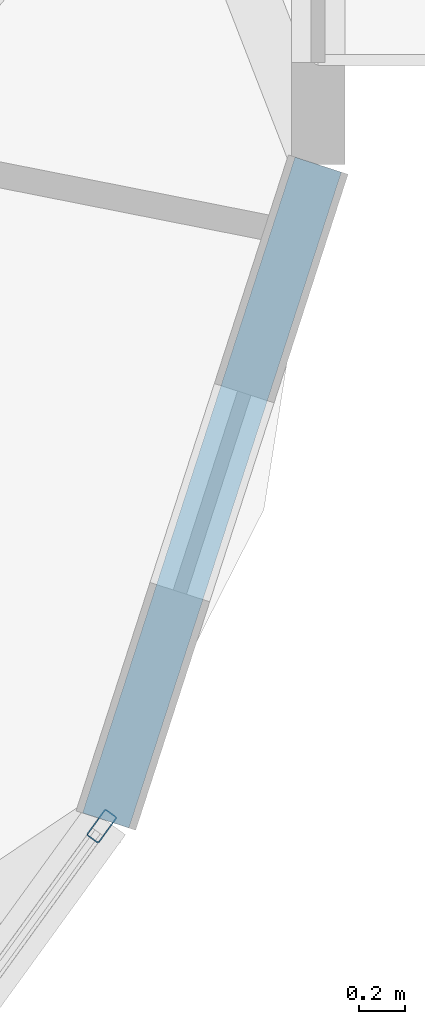
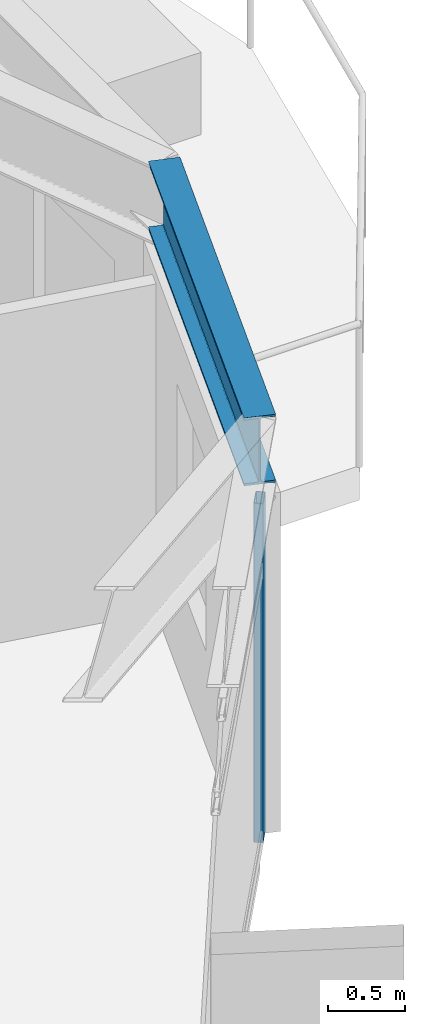
# One storey, part 15 of 31: 1 beam, 1 member, 1 element without a shape of its own.
"""IFC4 building model written with IfcOpenShell, lengths in metres."""

from ifc_helpers import new_model, si_unit, direction, frame, origin, origin_2d, place, context, subcontext, project, spatial, hollow_rectangle, i_section, extrude, material, layer, layer_set, material_profile, profile_set, type_object, element, aggregate, save


model = new_model("IFC4")

# Units and contexts
model_context = context("Model", 3, precision=1e-05, world=origin(), true_north=direction((0.0, 1.0)))
body_context = subcontext(model_context, "Body", "Model", "MODEL_VIEW")
ifc_project = project(units=[si_unit("LENGTHUNIT", "METRE"), si_unit("AREAUNIT", "SQUARE_METRE"), si_unit("VOLUMEUNIT", "CUBIC_METRE"), si_unit("PLANEANGLEUNIT", "RADIAN"), si_unit("MASSUNIT", "GRAM", prefix="KILO")], contexts=[model_context])

# Site, building, storey
site_placement = place(None, origin())
site = spatial("IfcSite", under=ifc_project, at=site_placement, CompositionType="ELEMENT")
building_placement = place(site_placement, origin())
building = spatial("IfcBuilding", under=site, at=building_placement, Name="Soratama Intermodal Tower", CompositionType="ELEMENT")
storey_placement = place(building_placement, frame((0.0, 0.0, 230.199951171875)))
storey = spatial("IfcBuildingStorey", under=building, at=storey_placement, Name="L58", CompositionType="ELEMENT", Elevation=230.199951171875)

# Beam
ifc_material_1 = material(Name="Structural steel ASTM A992 Grade 50", Category="steel")
ifc_material_profile_1 = material_profile(ifc_material_1, i_section(OverallWidth=0.2099609375, OverallDepth=0.537109375, WebThickness=0.010986328125, FlangeThickness=0.017333984375, FilletRadius=0.012939453125, at=origin_2d()), Name="W21X68")
ifc_profile_set_1 = profile_set([ifc_material_profile_1], Name="Structural steel ASTM A992 Grade 50")
beam_type = type_object("IfcBeamType", Name="BM-SPN-W21X68", PredefinedType="SPANDREL", material=ifc_profile_set_1)
beam_placement = place(storey_placement, frame((63.968017578125, 17.300048828125, 3.031494140625), z_axis=(0.308142390199, 0.951340247946, 0.0), x_axis=(-0.951340247946, 0.308142390199, 0.0)))
element("IfcBeam", 1, at=beam_placement, inside=storey, type_object=beam_type, Name="BS-L58-CRN08", PredefinedType="SPANDREL", context=body_context, shape_type="SweptSolid", body=[
    extrude(i_section(OverallWidth=0.2099609375, OverallDepth=0.537109375, WebThickness=0.010986328125, FlangeThickness=0.017333984375, FilletRadius=0.012939453125, at=origin_2d()), origin(), (0.0, 0.0, 1.0), 2.96630859375),
])

# Curtain wall, member
ifc_material_2 = material(Name="Double-glazed aluminium curtain wall", Category="aluminium")
ifc_layer = layer(ifc_material_2, 0.159912109375)
ifc_layer_set = layer_set([ifc_layer], Name="Double-glazed aluminium curtain wall")
curtain_wall_type = type_object("IfcCurtainWallType", Name="CW-SYS-5", PredefinedType="NOTDEFINED", material=ifc_layer_set)
curtain_wall_placement = place(storey_placement, origin())
curtain_wall = element("IfcCurtainWall", 2, at=curtain_wall_placement, inside=storey, type_object=curtain_wall_type, Name="L58 Faceted Curtain Wall F08", PredefinedType="NOTDEFINED")
ifc_material_3 = material(Name="Anodised aluminium AA 6063-T6", Category="aluminium")
ifc_material_profile_2 = material_profile(ifc_material_3, hollow_rectangle(XDim=0.06494140625, YDim=0.139892578125, WallThickness=0.0048828125, InnerFilletRadius=0.0048828125, OuterFilletRadius=0.010009765625, at=origin_2d()), Name="CWM140X65X5")
ifc_profile_set_2 = profile_set([ifc_material_profile_2], Name="Anodised aluminium AA 6063-T6")
member_type = type_object("IfcMemberType", Name="MT-CWM-5", PredefinedType="MULLION", material=ifc_profile_set_2)
member_placement = place(storey_placement, frame((63.95068359375, 17.275390625, 0.0), z_axis=(0.0, 0.0, 1.0), x_axis=(-0.80963287542, 0.586936629492, 0.0)))
member = element("IfcMember", 3, at=member_placement, type_object=member_type, Name="CW-5 mullion 3", PredefinedType="MULLION", context=body_context, shape_type="SweptSolid", body=[
    extrude(hollow_rectangle(XDim=0.06494140625, YDim=0.139892578125, WallThickness=0.0048828125, InnerFilletRadius=0.0048828125, OuterFilletRadius=0.010009765625, at=origin_2d()), origin(), (0.0, 0.0, 1.0), 2.678955078125),
])
aggregate(curtain_wall, [member])

save(model, "model.ifc")
